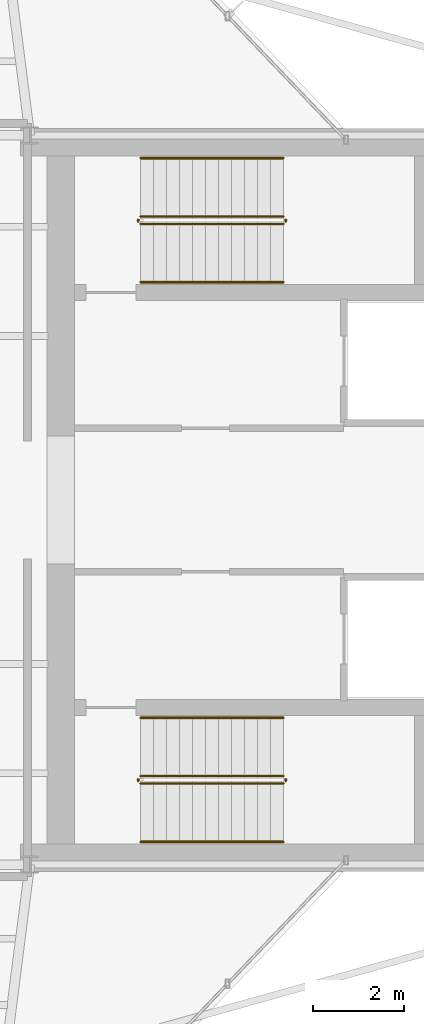
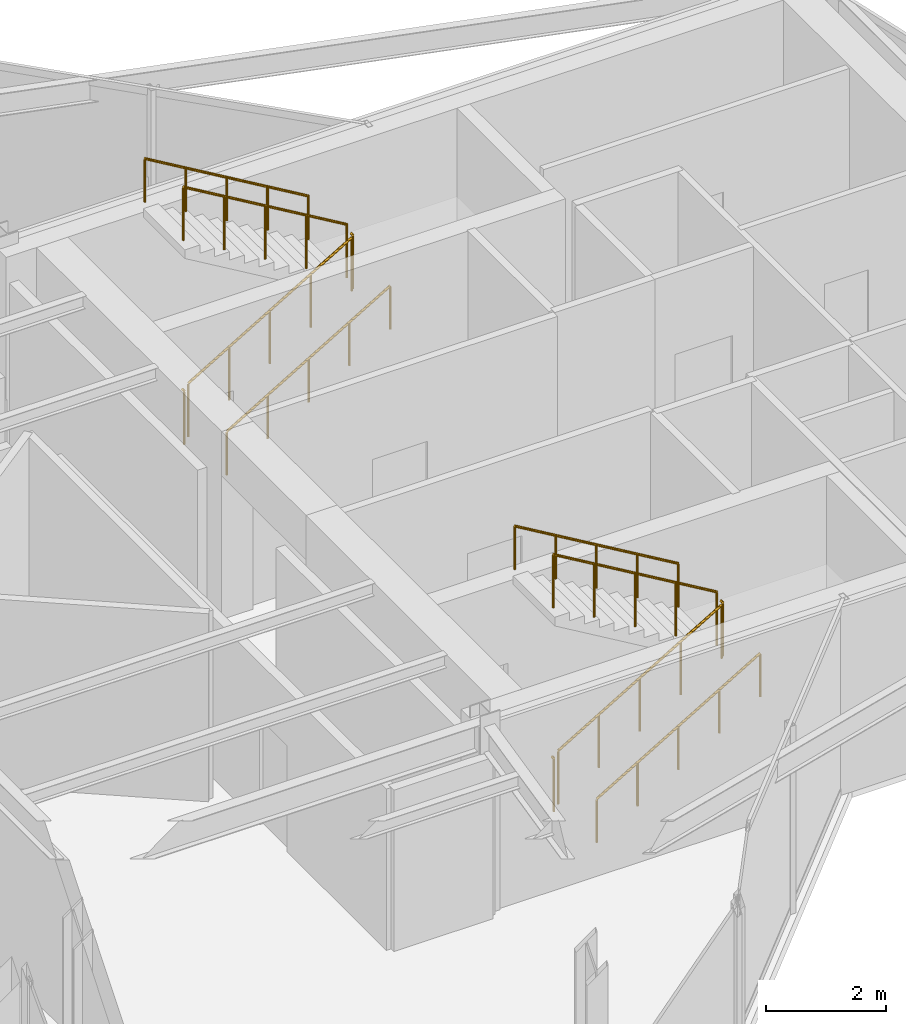
# One storey, part 13 of 13: 12 railings.
"""IFC4 building model written with IfcOpenShell, lengths in metres."""

from ifc_helpers import new_model, si_unit, direction, frame, origin, origin_2d, place, context, subcontext, project, spatial, circle, extrude, material, type_object, element, save


model = new_model("IFC4")

# Units and contexts
model_context = context("Model", 3, precision=1e-05, world=origin(), true_north=direction((0.0, 1.0)))
body_context = subcontext(model_context, "Body", "Model", "MODEL_VIEW")
ifc_project = project(units=[si_unit("LENGTHUNIT", "METRE"), si_unit("AREAUNIT", "SQUARE_METRE"), si_unit("VOLUMEUNIT", "CUBIC_METRE"), si_unit("PLANEANGLEUNIT", "RADIAN"), si_unit("MASSUNIT", "GRAM", prefix="KILO")], contexts=[model_context])

# Site, building, storey
site_placement = place(None, origin())
site = spatial("IfcSite", under=ifc_project, at=site_placement, CompositionType="ELEMENT")
building_placement = place(site_placement, origin())
building = spatial("IfcBuilding", under=site, at=building_placement, Name="Veymaron Broadcast Tower", CompositionType="ELEMENT")
storey_placement = place(building_placement, frame((0.0, 0.0, 291.14990234375)))
storey = spatial("IfcBuildingStorey", under=building, at=storey_placement, Name="L68", CompositionType="ELEMENT", Elevation=291.14990234375)

# Railings
ifc_material_1 = material(Name="Brushed stainless steel AISI 304", Category="steel")
railing_type_1 = type_object("IfcRailingType", Name="RAIL-STAIR-HR", PredefinedType="HANDRAIL", material=ifc_material_1)
railing_1_placement = place(storey_placement, frame((41.429931640625, 28.780029296875, 0.1689453125)))
element("IfcRailing", 1, at=railing_1_placement, inside=storey, type_object=railing_type_1, Name="L68 ST1 stair handrail 1", PredefinedType="HANDRAIL", context=body_context, shape_type="SweptSolid", body=[
    extrude(circle(Radius=0.02392578125, at=origin_2d()), frame((0.0, 0.0, 0.8759765625), z_axis=(0.860481960309, 0.0, 0.509480908359), x_axis=(0.0, 1.0, 0.0)), (0.0, 0.0, 1.0), 3.643310546875),
    extrude(circle(Radius=0.02099609375, at=origin_2d()), origin(), (0.0, 0.0, 1.0), 0.851806640625),
    extrude(circle(Radius=0.02099609375, at=origin_2d()), frame((0.78369140625, 0.0, 0.464111328125)), (0.0, 0.0, 1.0), 0.851806640625),
    extrude(circle(Radius=0.02099609375, at=origin_2d()), frame((1.5673828125, 0.0, 0.92822265625)), (0.0, 0.0, 1.0), 0.851806640625),
    extrude(circle(Radius=0.02099609375, at=origin_2d()), frame((2.351318359375, 0.0, 1.39208984375)), (0.0, 0.0, 1.0), 0.851806640625),
    extrude(circle(Radius=0.02099609375, at=origin_2d()), frame((3.135009765625, 0.0, 1.856201171875)), (0.0, 0.0, 1.0), 0.851806640625),
])
railing_2_placement = place(storey_placement, frame((44.56494140625, 31.5, 2.19384765625)))
element("IfcRailing", 2, at=railing_2_placement, inside=storey, type_object=railing_type_1, Name="L68 ST1 stair handrail 2", PredefinedType="HANDRAIL", context=body_context, shape_type="SweptSolid", body=[
    extrude(circle(Radius=0.02392578125, at=origin_2d()), frame((0.0, 0.0, 0.8759765625), z_axis=(-0.860481960309, 0.0, 0.509480908359), x_axis=(0.0, -1.0, 0.0)), (0.0, 0.0, 1.0), 3.643310546875),
    extrude(circle(Radius=0.02099609375, at=origin_2d()), origin(), (0.0, 0.0, 1.0), 0.851806640625),
    extrude(circle(Radius=0.02099609375, at=origin_2d()), frame((-0.78369140625, 0.0, 0.464111328125)), (0.0, 0.0, 1.0), 0.851806640625),
    extrude(circle(Radius=0.02099609375, at=origin_2d()), frame((-1.5673828125, 0.0, 0.92822265625)), (0.0, 0.0, 1.0), 0.851806640625),
    extrude(circle(Radius=0.02099609375, at=origin_2d()), frame((-2.351318359375, 0.0, 1.39208984375)), (0.0, 0.0, 1.0), 0.851806640625),
    extrude(circle(Radius=0.02099609375, at=origin_2d()), frame((-3.135009765625, 0.0, 1.856201171875)), (0.0, 0.0, 1.0), 0.851806640625),
])
railing_3_placement = place(storey_placement, frame((41.429931640625, 16.5, 0.1689453125)))
element("IfcRailing", 3, at=railing_3_placement, inside=storey, type_object=railing_type_1, Name="L68 ST2 stair handrail 1", PredefinedType="HANDRAIL", context=body_context, shape_type="SweptSolid", body=[
    extrude(circle(Radius=0.02392578125, at=origin_2d()), frame((0.0, 0.0, 0.8759765625), z_axis=(0.860481960309, 0.0, 0.509480908359), x_axis=(0.0, 1.0, 0.0)), (0.0, 0.0, 1.0), 3.643310546875),
    extrude(circle(Radius=0.02099609375, at=origin_2d()), origin(), (0.0, 0.0, 1.0), 0.851806640625),
    extrude(circle(Radius=0.02099609375, at=origin_2d()), frame((0.78369140625, 0.0, 0.464111328125)), (0.0, 0.0, 1.0), 0.851806640625),
    extrude(circle(Radius=0.02099609375, at=origin_2d()), frame((1.5673828125, 0.0, 0.92822265625)), (0.0, 0.0, 1.0), 0.851806640625),
    extrude(circle(Radius=0.02099609375, at=origin_2d()), frame((2.351318359375, 0.0, 1.39208984375)), (0.0, 0.0, 1.0), 0.851806640625),
    extrude(circle(Radius=0.02099609375, at=origin_2d()), frame((3.135009765625, 0.0, 1.856201171875)), (0.0, 0.0, 1.0), 0.851806640625),
])
railing_4_placement = place(storey_placement, frame((44.56494140625, 19.219970703125, 2.19384765625)))
element("IfcRailing", 4, at=railing_4_placement, inside=storey, type_object=railing_type_1, Name="L68 ST2 stair handrail 2", PredefinedType="HANDRAIL", context=body_context, shape_type="SweptSolid", body=[
    extrude(circle(Radius=0.02392578125, at=origin_2d()), frame((0.0, 0.0, 0.8759765625), z_axis=(-0.860481960309, 0.0, 0.509480908359), x_axis=(0.0, -1.0, 0.0)), (0.0, 0.0, 1.0), 3.643310546875),
    extrude(circle(Radius=0.02099609375, at=origin_2d()), origin(), (0.0, 0.0, 1.0), 0.851806640625),
    extrude(circle(Radius=0.02099609375, at=origin_2d()), frame((-0.78369140625, 0.0, 0.464111328125)), (0.0, 0.0, 1.0), 0.851806640625),
    extrude(circle(Radius=0.02099609375, at=origin_2d()), frame((-1.5673828125, 0.0, 0.92822265625)), (0.0, 0.0, 1.0), 0.851806640625),
    extrude(circle(Radius=0.02099609375, at=origin_2d()), frame((-2.351318359375, 0.0, 1.39208984375)), (0.0, 0.0, 1.0), 0.851806640625),
    extrude(circle(Radius=0.02099609375, at=origin_2d()), frame((-3.135009765625, 0.0, 1.856201171875)), (0.0, 0.0, 1.0), 0.851806640625),
])
ifc_material_2 = material(Name="Painted galvanized steel balustrade", Category="steel")
railing_type_2 = type_object("IfcRailingType", Name="RAIL-WELL-GRD", PredefinedType="GUARDRAIL", material=ifc_material_2)
railing_5_placement = place(storey_placement, frame((41.429931640625, 30.06005859375, 0.1689453125)))
element("IfcRailing", 5, at=railing_5_placement, inside=storey, type_object=railing_type_2, Name="L68 ST1 stair guard 1", PredefinedType="GUARDRAIL", context=body_context, shape_type="SweptSolid", body=[
    extrude(circle(Radius=0.02392578125, at=origin_2d()), frame((0.0, 0.0, 1.076171875), z_axis=(0.860481960309, 0.0, 0.509480908359), x_axis=(0.0, 1.0, 0.0)), (0.0, 0.0, 1.0), 3.643310546875),
    extrude(circle(Radius=0.02099609375, at=origin_2d()), origin(), (0.0, 0.0, 1.0), 1.052001953125),
    extrude(circle(Radius=0.02099609375, at=origin_2d()), frame((0.78369140625, 0.0, 0.464111328125)), (0.0, 0.0, 1.0), 1.052001953125),
    extrude(circle(Radius=0.02099609375, at=origin_2d()), frame((1.5673828125, 0.0, 0.92822265625)), (0.0, 0.0, 1.0), 1.052001953125),
    extrude(circle(Radius=0.02099609375, at=origin_2d()), frame((2.351318359375, 0.0, 1.39208984375)), (0.0, 0.0, 1.0), 1.052001953125),
    extrude(circle(Radius=0.02099609375, at=origin_2d()), frame((3.135009765625, 0.0, 1.856201171875)), (0.0, 0.0, 1.0), 1.052001953125),
])
railing_6_placement = place(storey_placement, frame((44.614990234375, 30.110107421875, 2.025146484375)))
element("IfcRailing", 6, at=railing_6_placement, inside=storey, type_object=railing_type_2, Name="L68 ST1 stair guard 2", PredefinedType="GUARDRAIL", context=body_context, shape_type="SweptSolid", body=[
    extrude(circle(Radius=0.02392578125, at=origin_2d()), frame((0.0, 0.0, 1.076171875), z_axis=(0.0, 1.0, 0.0), x_axis=(-1.0, 0.0, 0.0)), (0.0, 0.0, 1.0), 0.059814453125),
    extrude(circle(Radius=0.02099609375, at=origin_2d()), origin(), (0.0, 0.0, 1.0), 1.052001953125),
])
railing_7_placement = place(storey_placement, frame((44.56494140625, 30.219970703125, 2.19384765625)))
element("IfcRailing", 7, at=railing_7_placement, inside=storey, type_object=railing_type_2, Name="L68 ST1 stair guard 3", PredefinedType="GUARDRAIL", context=body_context, shape_type="SweptSolid", body=[
    extrude(circle(Radius=0.02392578125, at=origin_2d()), frame((0.0, 0.0, 1.076171875), z_axis=(-0.860481960309, 0.0, 0.509480908359), x_axis=(0.0, -1.0, 0.0)), (0.0, 0.0, 1.0), 3.643310546875),
    extrude(circle(Radius=0.02099609375, at=origin_2d()), origin(), (0.0, 0.0, 1.0), 1.052001953125),
    extrude(circle(Radius=0.02099609375, at=origin_2d()), frame((-0.78369140625, 0.0, 0.464111328125)), (0.0, 0.0, 1.0), 1.052001953125),
    extrude(circle(Radius=0.02099609375, at=origin_2d()), frame((-1.5673828125, 0.0, 0.92822265625)), (0.0, 0.0, 1.0), 1.052001953125),
    extrude(circle(Radius=0.02099609375, at=origin_2d()), frame((-2.351318359375, 0.0, 1.39208984375)), (0.0, 0.0, 1.0), 1.052001953125),
    extrude(circle(Radius=0.02099609375, at=origin_2d()), frame((-3.135009765625, 0.0, 1.856201171875)), (0.0, 0.0, 1.0), 1.052001953125),
])
railing_8_placement = place(storey_placement, frame((41.3798828125, 30.110107421875, 0.0)))
element("IfcRailing", 8, at=railing_8_placement, inside=storey, type_object=railing_type_2, Name="L68 ST1 stair guard 4", PredefinedType="GUARDRAIL", context=body_context, shape_type="SweptSolid", body=[
    extrude(circle(Radius=0.02392578125, at=origin_2d()), frame((0.0, 0.0, 1.076171875), z_axis=(0.0, 1.0, 0.0), x_axis=(-1.0, 0.0, 0.0)), (0.0, 0.0, 1.0), 0.059814453125),
    extrude(circle(Radius=0.02099609375, at=origin_2d()), origin(), (0.0, 0.0, 1.0), 1.052001953125),
])
railing_9_placement = place(storey_placement, frame((41.429931640625, 17.780029296875, 0.1689453125)))
element("IfcRailing", 9, at=railing_9_placement, inside=storey, type_object=railing_type_2, Name="L68 ST2 stair guard 1", PredefinedType="GUARDRAIL", context=body_context, shape_type="SweptSolid", body=[
    extrude(circle(Radius=0.02392578125, at=origin_2d()), frame((0.0, 0.0, 1.076171875), z_axis=(0.860481960309, 0.0, 0.509480908359), x_axis=(0.0, 1.0, 0.0)), (0.0, 0.0, 1.0), 3.643310546875),
    extrude(circle(Radius=0.02099609375, at=origin_2d()), origin(), (0.0, 0.0, 1.0), 1.052001953125),
    extrude(circle(Radius=0.02099609375, at=origin_2d()), frame((0.78369140625, 0.0, 0.464111328125)), (0.0, 0.0, 1.0), 1.052001953125),
    extrude(circle(Radius=0.02099609375, at=origin_2d()), frame((1.5673828125, 0.0, 0.92822265625)), (0.0, 0.0, 1.0), 1.052001953125),
    extrude(circle(Radius=0.02099609375, at=origin_2d()), frame((2.351318359375, 0.0, 1.39208984375)), (0.0, 0.0, 1.0), 1.052001953125),
    extrude(circle(Radius=0.02099609375, at=origin_2d()), frame((3.135009765625, 0.0, 1.856201171875)), (0.0, 0.0, 1.0), 1.052001953125),
])
railing_10_placement = place(storey_placement, frame((44.614990234375, 17.830078125, 2.025146484375)))
element("IfcRailing", 10, at=railing_10_placement, inside=storey, type_object=railing_type_2, Name="L68 ST2 stair guard 2", PredefinedType="GUARDRAIL", context=body_context, shape_type="SweptSolid", body=[
    extrude(circle(Radius=0.02392578125, at=origin_2d()), frame((0.0, 0.0, 1.076171875), z_axis=(0.0, 1.0, 0.0), x_axis=(-1.0, 0.0, 0.0)), (0.0, 0.0, 1.0), 0.059814453125),
    extrude(circle(Radius=0.02099609375, at=origin_2d()), origin(), (0.0, 0.0, 1.0), 1.052001953125),
])
railing_11_placement = place(storey_placement, frame((44.56494140625, 17.93994140625, 2.19384765625)))
element("IfcRailing", 11, at=railing_11_placement, inside=storey, type_object=railing_type_2, Name="L68 ST2 stair guard 3", PredefinedType="GUARDRAIL", context=body_context, shape_type="SweptSolid", body=[
    extrude(circle(Radius=0.02392578125, at=origin_2d()), frame((0.0, 0.0, 1.076171875), z_axis=(-0.860481960309, 0.0, 0.509480908359), x_axis=(0.0, -1.0, 0.0)), (0.0, 0.0, 1.0), 3.643310546875),
    extrude(circle(Radius=0.02099609375, at=origin_2d()), origin(), (0.0, 0.0, 1.0), 1.052001953125),
    extrude(circle(Radius=0.02099609375, at=origin_2d()), frame((-0.78369140625, 0.0, 0.464111328125)), (0.0, 0.0, 1.0), 1.052001953125),
    extrude(circle(Radius=0.02099609375, at=origin_2d()), frame((-1.5673828125, 0.0, 0.92822265625)), (0.0, 0.0, 1.0), 1.052001953125),
    extrude(circle(Radius=0.02099609375, at=origin_2d()), frame((-2.351318359375, 0.0, 1.39208984375)), (0.0, 0.0, 1.0), 1.052001953125),
    extrude(circle(Radius=0.02099609375, at=origin_2d()), frame((-3.135009765625, 0.0, 1.856201171875)), (0.0, 0.0, 1.0), 1.052001953125),
])
railing_12_placement = place(storey_placement, frame((41.3798828125, 17.830078125, 0.0)))
element("IfcRailing", 12, at=railing_12_placement, inside=storey, type_object=railing_type_2, Name="L68 ST2 stair guard 4", PredefinedType="GUARDRAIL", context=body_context, shape_type="SweptSolid", body=[
    extrude(circle(Radius=0.02392578125, at=origin_2d()), frame((0.0, 0.0, 1.076171875), z_axis=(0.0, 1.0, 0.0), x_axis=(-1.0, 0.0, 0.0)), (0.0, 0.0, 1.0), 0.059814453125),
    extrude(circle(Radius=0.02099609375, at=origin_2d()), origin(), (0.0, 0.0, 1.0), 1.052001953125),
])

save(model, "model.ifc")
